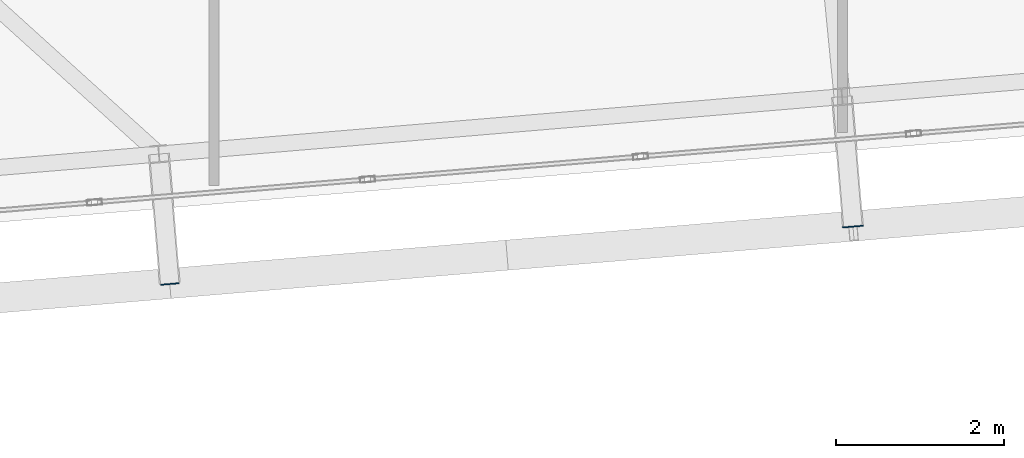
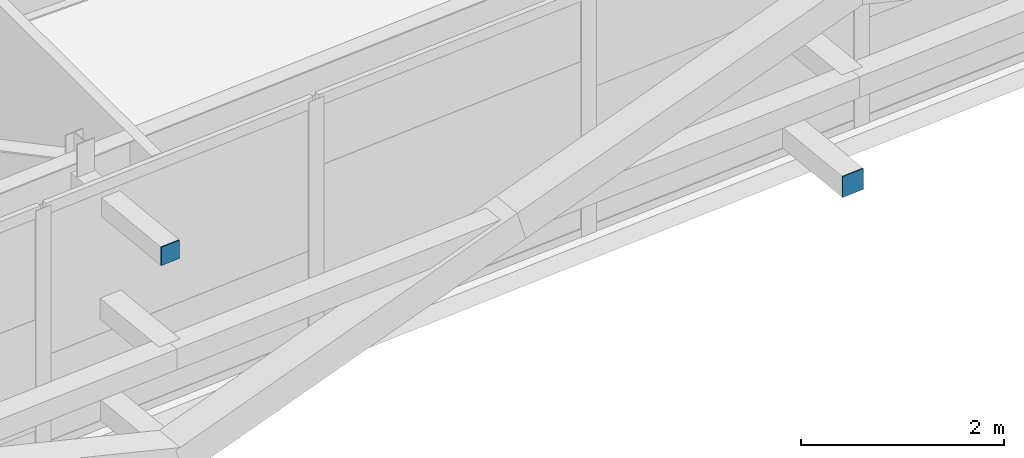
# One storey, part 35 of 46: 2 plates.
"""IFC4 building model written with IfcOpenShell, lengths in metres."""

import ifcopenshell
import ifcopenshell.guid

model = None  # the IFC model being written
_history = None  # IfcOwnerHistory: only IFC2X3 demands one
_inside = {}  # id of a spatial element -> (the spatial element, [elements in it])
_under = {}  # id of a project, library or spatial element -> (it, [spatial elements below it])
_declared = {}  # id of a project -> (the project, [libraries it declares])
_typed = {}  # id of a type object -> (the type object, [elements of that type])
_made_of = {}  # id of a material, layer set ... -> (it, [elements and type objects made of it])


def new_model(schema):
    """Start an empty IFC model of exactly this schema.

    Asked for "IFC4X3", IfcOpenShell would pick the latest addendum, in which some entities
    have other attributes; the version numbers below select the first issue.
    IFC2X3 requires an IfcOwnerHistory on every rooted entity: one is made here for all.
    """
    global model, _history
    if schema == "IFC4X3":
        model = ifcopenshell.file(schema_version=(4, 3, 0, 0))
    else:
        model = ifcopenshell.file(schema=schema)
    _inside.clear()
    _under.clear()
    _declared.clear()
    _typed.clear()
    _made_of.clear()
    _history = None
    if model.schema == "IFC2X3":
        org = make("IfcOrganization", Name="unknown")
        user = make(
            "IfcPersonAndOrganization",
            ThePerson=make("IfcPerson", FamilyName="unknown"),
            TheOrganization=org,
        )
        app = make(
            "IfcApplication",
            ApplicationDeveloper=org,
            Version="unknown",
            ApplicationFullName="unknown",
            ApplicationIdentifier="unknown",
        )
        _history = make(
            "IfcOwnerHistory",
            OwningUser=user,
            OwningApplication=app,
            ChangeAction="ADDED",
            CreationDate=0,
        )
    return model


def make(cls, **values):
    """One entity of the class cls with the attributes given. An attribute that is None is left unset."""
    return model.create_entity(
        cls, **{name: value for name, value in values.items() if value is not None}
    )


def rooted(cls, **values):
    """An entity with a GlobalId (a new one), such as an element, a storey or a relation."""
    return make(cls, GlobalId=ifcopenshell.guid.new(), OwnerHistory=_history, **values)


def si_unit(unit_type, name, prefix=None):
    """IfcSIUnit, for example si_unit("LENGTHUNIT", "METRE", prefix="MILLI")."""
    return make("IfcSIUnit", UnitType=unit_type, Prefix=prefix, Name=name)


def assignment(units):
    """IfcUnitAssignment: the units of a project."""
    return None if units is None else make("IfcUnitAssignment", Units=units)


def point(xyz):
    """IfcCartesianPoint."""
    return None if xyz is None else make("IfcCartesianPoint", Coordinates=xyz)


def direction(xyz):
    """IfcDirection."""
    return None if xyz is None else make("IfcDirection", DirectionRatios=xyz)


def frame(location, z_axis=None, x_axis=None):
    """IfcAxis2Placement3D, a coordinate frame: its origin and axes. An axis left out is left unset."""
    return make(
        "IfcAxis2Placement3D",
        Location=point(location),
        Axis=direction(z_axis),
        RefDirection=direction(x_axis),
    )


def frame_2d(location, x_axis=None):
    """IfcAxis2Placement2D, a coordinate frame in the plane: its origin and x axis."""
    return make(
        "IfcAxis2Placement2D", Location=point(location), RefDirection=direction(x_axis)
    )


def origin():
    """The frame at (0, 0, 0) with its axes left unset."""
    return frame((0.0, 0.0, 0.0))


def origin_2d():
    """The frame at (0, 0) in the plane with its x axis left unset."""
    return frame_2d((0.0, 0.0))


def place(relative_to, where):
    """IfcLocalPlacement: puts the frame where relative to a parent placement (None: the world)."""
    return make(
        "IfcLocalPlacement", PlacementRelTo=relative_to, RelativePlacement=where
    )


def context(
    kind, dimensions, precision=None, world=None, true_north=None, identifier=None
):
    """IfcGeometricRepresentationContext, for example the 3D "Model" context."""
    return make(
        "IfcGeometricRepresentationContext",
        ContextIdentifier=identifier,
        ContextType=kind,
        CoordinateSpaceDimension=dimensions,
        Precision=precision,
        WorldCoordinateSystem=world,
        TrueNorth=true_north,
    )


def subcontext(parent, identifier, kind, view, scale=None):
    """IfcGeometricRepresentationSubContext, for example "Body" below "Model"."""
    return make(
        "IfcGeometricRepresentationSubContext",
        ContextIdentifier=identifier,
        ContextType=kind,
        ParentContext=parent,
        TargetScale=scale,
        TargetView=view,
    )


def project(units=None, contexts=None):
    """IfcProject with its units and contexts."""
    return rooted(
        "IfcProject",
        Name="project",
        RepresentationContexts=contexts,
        UnitsInContext=assignment(units),
    )


def spatial(cls, under=None, at=None, **own):
    """A site, building, storey or space (cls), placed at a placement, below another one or the project."""
    s = rooted(cls, ObjectPlacement=at, **own)
    if under is not None:
        _under.setdefault(under.id(), (under, []))[1].append(s)
    return s


def profile(cls, at=None, kind="AREA", **sizes):
    """A parametric profile (cls). Its sizes go by their IFC names, for example OverallWidth=200.0."""
    return make(cls, ProfileType=kind, Position=at, **sizes)


def rectangle(**sizes):
    """IfcRectangleProfileDef."""
    return profile("IfcRectangleProfileDef", **sizes)


def extrude(swept, where, along, depth):
    """IfcExtrudedAreaSolid: the profile swept, set in the frame where, extruded along a direction by depth."""
    return make(
        "IfcExtrudedAreaSolid",
        SweptArea=swept,
        Position=where,
        ExtrudedDirection=direction(along),
        Depth=depth,
    )


def shape(context_of_items, identifier, shape_type, items):
    """IfcShapeRepresentation: the items that make up one representation, for example the "Body"."""
    return make(
        "IfcShapeRepresentation",
        ContextOfItems=context_of_items,
        RepresentationIdentifier=identifier,
        RepresentationType=shape_type,
        Items=items,
    )


def source(mapping_origin, context_of_items, identifier, shape_type, items):
    """IfcRepresentationMap: a shape defined once, which mapped items show again and again."""
    return make(
        "IfcRepresentationMap",
        MappingOrigin=mapping_origin,
        MappedRepresentation=shape(context_of_items, identifier, shape_type, items),
    )


def transform(
    local_origin,
    x_axis=None,
    y_axis=None,
    z_axis=None,
    scale=None,
    scale2=None,
    scale3=None,
    uniform=True,
):
    """IfcCartesianTransformationOperator3D, or its non-uniform kind. x_axis, y_axis, z_axis: its Axis1, 2, 3."""
    if uniform:
        return make(
            "IfcCartesianTransformationOperator3D",
            Axis1=direction(x_axis),
            Axis2=direction(y_axis),
            LocalOrigin=point(local_origin),
            Scale=scale,
            Axis3=direction(z_axis),
        )
    return make(
        "IfcCartesianTransformationOperator3DnonUniform",
        Axis1=direction(x_axis),
        Axis2=direction(y_axis),
        LocalOrigin=point(local_origin),
        Scale=scale,
        Axis3=direction(z_axis),
        Scale2=scale2,
        Scale3=scale3,
    )


def mapped(mapping_source, mapping_target):
    """IfcMappedItem: shows the shape of a source again, moved by a transform."""
    return make(
        "IfcMappedItem", MappingSource=mapping_source, MappingTarget=mapping_target
    )


def material(Name=None, Category=None):
    """IfcMaterial."""
    return make("IfcMaterial", Name=Name, Category=Category)


def layer(
    of_material, thickness, ventilated=None, Name=None, Category=None, Priority=None
):
    """IfcMaterialLayer: one layer of a wall or slab, of a material (None: an air gap)."""
    return make(
        "IfcMaterialLayer",
        Material=of_material,
        LayerThickness=thickness,
        IsVentilated=ventilated,
        Name=Name,
        Category=Category,
        Priority=Priority,
    )


def layer_set(layers, Name=None):
    """IfcMaterialLayerSet."""
    return make("IfcMaterialLayerSet", MaterialLayers=layers, LayerSetName=Name)


def made_of(thing, what):
    """Note that an element or type object is made of a material, layer set ...; save() writes the relation."""
    if what is not None:
        _made_of.setdefault(what.id(), (what, []))[1].append(thing)
    return thing


def type_object(cls, material=None, **own):
    """A type object (cls), such as IfcWallType, which elements share."""
    return made_of(rooted(cls, **own), material)


def element(
    cls,
    number,
    at=None,
    inside=None,
    cuts=None,
    type_object=None,
    material=None,
    context=None,
    identifier="Body",
    shape_type=None,
    held_by="IfcProductDefinitionShape",
    body=None,
    shapes=None,
    **own,
):
    """One element of the class cls, such as IfcWall. Its Tag is "e" and its number.

    at: its placement. inside: the storey or other place that contains it. cuts: it is an
    opening in that element (IfcRelVoidsElement). A single representation is given by context,
    identifier, shape_type and body (its items); several are given by shapes. held_by: the class
    of the entity that holds the representations. save() writes the other relations.
    """
    e = rooted(cls, Tag="e%d" % number, ObjectPlacement=at, **own)
    if body is not None:
        shapes = [shape(context, identifier, shape_type, body)]
    if shapes is not None:
        e.Representation = make(held_by, Representations=shapes)
    if inside is not None:
        _inside.setdefault(inside.id(), (inside, []))[1].append(e)
    if cuts is not None:
        rooted(
            "IfcRelVoidsElement", RelatingBuildingElement=cuts, RelatedOpeningElement=e
        )
    if type_object is not None:
        _typed.setdefault(type_object.id(), (type_object, []))[1].append(e)
    return made_of(e, material)


def aggregate(whole, parts):
    """IfcRelAggregates: a whole, such as a stair, and the parts it consists of."""
    return rooted("IfcRelAggregates", RelatingObject=whole, RelatedObjects=parts)


def save(model, path):
    """Write the relations noted so far, then the file.

    IfcRelAggregates (storeys below a building ...), IfcRelContainedInSpatialStructure (elements
    in a storey), IfcRelDefinesByType, IfcRelAssociatesMaterial and IfcRelDeclares: one each for
    every whole, place, type object, material and project.
    """
    for whole, parts in _under.values():
        aggregate(whole, parts)
    for where, things in _inside.values():
        rooted(
            "IfcRelContainedInSpatialStructure",
            RelatedElements=things,
            RelatingStructure=where,
        )
    for kind, things in _typed.values():
        rooted("IfcRelDefinesByType", RelatedObjects=things, RelatingType=kind)
    for what, things in _made_of.values():
        rooted("IfcRelAssociatesMaterial", RelatedObjects=things, RelatingMaterial=what)
    for by, libraries in _declared.values():
        rooted("IfcRelDeclares", RelatingContext=by, RelatedDefinitions=libraries)
    model.write(path)


model = new_model("IFC4")

# Units and contexts
model_context = context("Model", 3, precision=1e-05, world=origin(), true_north=direction((0.0, 1.0)))
body_context = subcontext(model_context, "Body", "Model", "MODEL_VIEW")
ifc_project = project(units=[si_unit("LENGTHUNIT", "METRE"), si_unit("AREAUNIT", "SQUARE_METRE"), si_unit("VOLUMEUNIT", "CUBIC_METRE"), si_unit("PLANEANGLEUNIT", "RADIAN"), si_unit("MASSUNIT", "GRAM", prefix="KILO")], contexts=[model_context])

# Site, building, storey
site_placement = place(None, origin())
site = spatial("IfcSite", under=ifc_project, at=site_placement, CompositionType="ELEMENT")
building_placement = place(site_placement, origin())
building = spatial("IfcBuilding", under=site, at=building_placement, Name="Taldren Reach Tower", CompositionType="ELEMENT")
storey_placement = place(building_placement, frame((0.0, 0.0, 185.14990234375)))
storey = spatial("IfcBuildingStorey", under=building, at=storey_placement, Name="L56", CompositionType="ELEMENT", Elevation=185.14990234375)

# Plates
ifc_material_1 = material(Name="Steel Gr 350 (C350L0)", Category="steel")
ifc_layer_1 = layer(ifc_material_1, 0.011962890625)
ifc_layer_set_1 = layer_set([ifc_layer_1], Name="Steel Gr 350 (C350L0)")
plate_type_1 = type_object("IfcPlateType", Name="PL-CAP-250", PredefinedType="SHEET", material=ifc_layer_set_1)
shared_shape_1 = source(origin(), body_context, "Body", "SweptSolid", [
    extrude(rectangle(XDim=0.25, YDim=0.011962890625, at=origin_2d()), origin(), (0.0, 0.0, 1.0), 0.25),
])
plate_1_placement = place(storey_placement, frame((42.623779296875, 2.596923828125, 0.09521484375), z_axis=(0.0, 0.0, 1.0), x_axis=(0.99649285925, 0.083677843332, 0.0)))
element("IfcPlate", 1, at=plate_1_placement, inside=storey, type_object=plate_type_1, Name="Tie strut end cap plate B4-S4 L56", PredefinedType="SHEET", context=body_context, shape_type="MappedRepresentation", body=[
    mapped(shared_shape_1, transform((0.0, 0.0, 0.0), scale=1.0)),
])
ifc_material_2 = material(Name="Steel Gr 450 (C450L0)", Category="steel")
ifc_layer_2 = layer(ifc_material_2, 0.011962890625)
ifc_layer_set_2 = layer_set([ifc_layer_2], Name="Steel Gr 450 (C450L0)")
plate_type_2 = type_object("IfcPlateType", Name="PL-CAP-220", PredefinedType="SHEET", material=ifc_layer_set_2)
shared_shape_2 = source(origin(), body_context, "Body", "SweptSolid", [
    extrude(rectangle(XDim=0.219970703125, YDim=0.011962890625, at=origin_2d()), origin(), (0.0, 0.0, 1.0), 0.219970703125),
])
plate_2_placement = place(storey_placement, frame((34.472412109375, 1.912353515625, 2.5400390625), z_axis=(0.0, 0.0, 1.0), x_axis=(0.99649285925, 0.083677843332, 0.0)))
element("IfcPlate", 2, at=plate_2_placement, inside=storey, type_object=plate_type_2, Name="Tie strut end cap plate B4-S3 L56", PredefinedType="SHEET", context=body_context, shape_type="MappedRepresentation", body=[
    mapped(shared_shape_2, transform((0.0, 0.0, 0.0), scale=1.0)),
])

save(model, "model.ifc")
